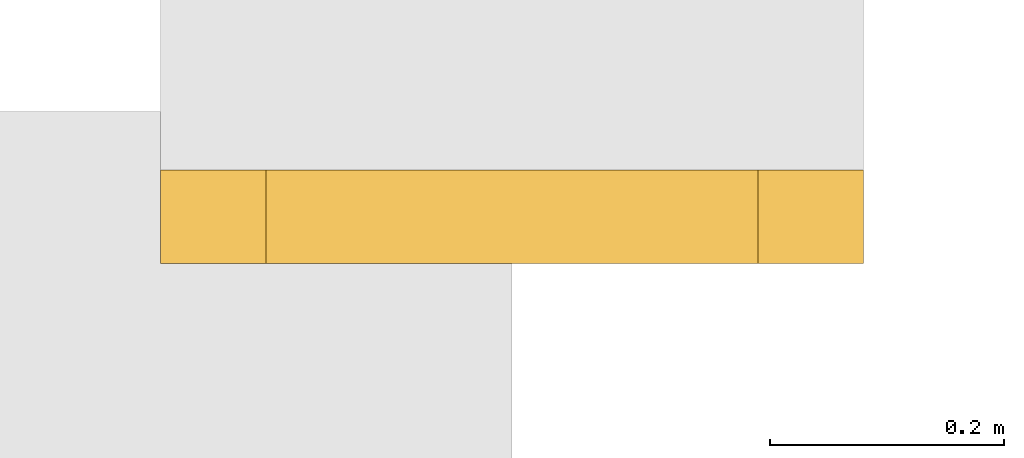
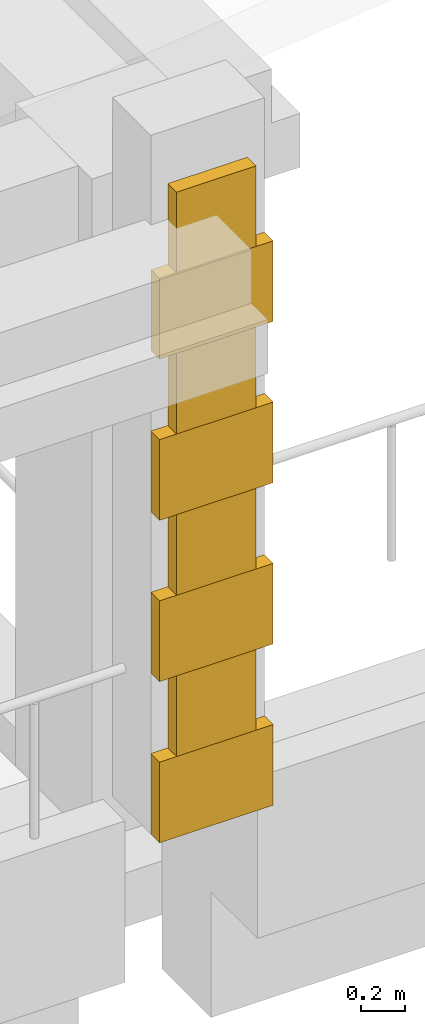
# One storey, part 17 of 17: 8 coverings.
"""IFC4 building model written with IfcOpenShell, lengths in metres."""

from ifc_helpers import new_model, si_unit, direction, frame, origin, place, context, subcontext, project, spatial, polyline, outline, extrude, material, layer, layer_set, type_object, element, save


model = new_model("IFC4")

# Units and contexts
model_context = context("Model", 3, precision=1e-05, world=origin(), true_north=direction((0.0, 1.0)))
body_context = subcontext(model_context, "Body", "Model", "MODEL_VIEW")
ifc_project = project(units=[si_unit("LENGTHUNIT", "METRE"), si_unit("AREAUNIT", "SQUARE_METRE"), si_unit("VOLUMEUNIT", "CUBIC_METRE"), si_unit("PLANEANGLEUNIT", "RADIAN"), si_unit("MASSUNIT", "GRAM", prefix="KILO")], contexts=[model_context])

# Site, building, storey
site_placement = place(None, origin())
site = spatial("IfcSite", under=ifc_project, at=site_placement, CompositionType="ELEMENT")
building_placement = place(site_placement, origin())
building = spatial("IfcBuilding", under=site, at=building_placement, Name="Cour d'Honneur Mobility Palace", CompositionType="ELEMENT")
storey_placement = place(building_placement, frame((0.0, 0.0, 34.10009765625)))
storey = spatial("IfcBuildingStorey", under=building, at=storey_placement, Name="L09", CompositionType="ELEMENT", Elevation=34.10009765625)

# Coverings
ifc_material = material(Name="Cast limestone", Category="masonry")
ifc_layer = layer(ifc_material, 0.080078125)
ifc_layer_set = layer_set([ifc_layer], Name="Cast limestone")
covering_type = type_object("IfcCoveringType", Name="Quoin block", PredefinedType="CLADDING", material=ifc_layer_set)
covering_1_placement = place(storey_placement, frame((0.0, 0.0, 0.2998046875)))
element("IfcCovering", 1, at=covering_1_placement, inside=storey, type_object=covering_type, Name="Quoin block QN-73", PredefinedType="CLADDING", context=body_context, shape_type="SweptSolid", body=[
    extrude(outline(polyline([(153.300048828125, -0.800048828125), (153.89990234375, -0.800048828125), (153.89990234375, -0.8798828125), (153.300048828125, -0.8798828125), (153.300048828125, -0.800048828125)])), origin(), (0.0, 0.0, 1.0), 0.4501953125),
])
covering_2_placement = place(storey_placement, frame((0.0, 0.0, 0.75)))
element("IfcCovering", 2, at=covering_2_placement, inside=storey, type_object=covering_type, Name="Quoin block QN-74", PredefinedType="CLADDING", context=body_context, shape_type="SweptSolid", body=[
    extrude(outline(polyline([(153.389892578125, -0.800048828125), (153.81005859375, -0.800048828125), (153.81005859375, -0.8798828125), (153.389892578125, -0.8798828125), (153.389892578125, -0.800048828125)])), origin(), (0.0, 0.0, 1.0), 0.449951171875),
])
covering_3_placement = place(storey_placement, frame((0.0, 0.0, 1.199951171875)))
element("IfcCovering", 3, at=covering_3_placement, inside=storey, type_object=covering_type, Name="Quoin block QN-75", PredefinedType="CLADDING", context=body_context, shape_type="SweptSolid", body=[
    extrude(outline(polyline([(153.300048828125, -0.800048828125), (153.89990234375, -0.800048828125), (153.89990234375, -0.8798828125), (153.300048828125, -0.8798828125), (153.300048828125, -0.800048828125)])), origin(), (0.0, 0.0, 1.0), 0.449951171875),
])
covering_4_placement = place(storey_placement, frame((0.0, 0.0, 1.64990234375)))
element("IfcCovering", 4, at=covering_4_placement, inside=storey, type_object=covering_type, Name="Quoin block QN-76", PredefinedType="CLADDING", context=body_context, shape_type="SweptSolid", body=[
    extrude(outline(polyline([(153.389892578125, -0.800048828125), (153.81005859375, -0.800048828125), (153.81005859375, -0.8798828125), (153.389892578125, -0.8798828125), (153.389892578125, -0.800048828125)])), origin(), (0.0, 0.0, 1.0), 0.449951171875),
])
covering_5_placement = place(storey_placement, frame((0.0, 0.0, 2.099853515625)))
element("IfcCovering", 5, at=covering_5_placement, inside=storey, type_object=covering_type, Name="Quoin block QN-77", PredefinedType="CLADDING", context=body_context, shape_type="SweptSolid", body=[
    extrude(outline(polyline([(153.300048828125, -0.800048828125), (153.89990234375, -0.800048828125), (153.89990234375, -0.8798828125), (153.300048828125, -0.8798828125), (153.300048828125, -0.800048828125)])), origin(), (0.0, 0.0, 1.0), 0.449951171875),
])
covering_6_placement = place(storey_placement, frame((0.0, 0.0, 2.5498046875)))
element("IfcCovering", 6, at=covering_6_placement, inside=storey, type_object=covering_type, Name="Quoin block QN-78", PredefinedType="CLADDING", context=body_context, shape_type="SweptSolid", body=[
    extrude(outline(polyline([(153.389892578125, -0.800048828125), (153.81005859375, -0.800048828125), (153.81005859375, -0.8798828125), (153.389892578125, -0.8798828125), (153.389892578125, -0.800048828125)])), origin(), (0.0, 0.0, 1.0), 0.4501953125),
])
covering_7_placement = place(storey_placement, frame((0.0, 0.0, 3.0)))
element("IfcCovering", 7, at=covering_7_placement, inside=storey, type_object=covering_type, Name="Quoin block QN-79", PredefinedType="CLADDING", context=body_context, shape_type="SweptSolid", body=[
    extrude(outline(polyline([(153.300048828125, -0.800048828125), (153.89990234375, -0.800048828125), (153.89990234375, -0.8798828125), (153.300048828125, -0.8798828125), (153.300048828125, -0.800048828125)])), origin(), (0.0, 0.0, 1.0), 0.449951171875),
])
covering_8_placement = place(storey_placement, frame((0.0, 0.0, 3.449951171875)))
element("IfcCovering", 8, at=covering_8_placement, inside=storey, type_object=covering_type, Name="Quoin block QN-80", PredefinedType="CLADDING", context=body_context, shape_type="SweptSolid", body=[
    extrude(outline(polyline([(153.389892578125, -0.800048828125), (153.81005859375, -0.800048828125), (153.81005859375, -0.8798828125), (153.389892578125, -0.8798828125), (153.389892578125, -0.800048828125)])), origin(), (0.0, 0.0, 1.0), 0.449951171875),
])

save(model, "model.ifc")
